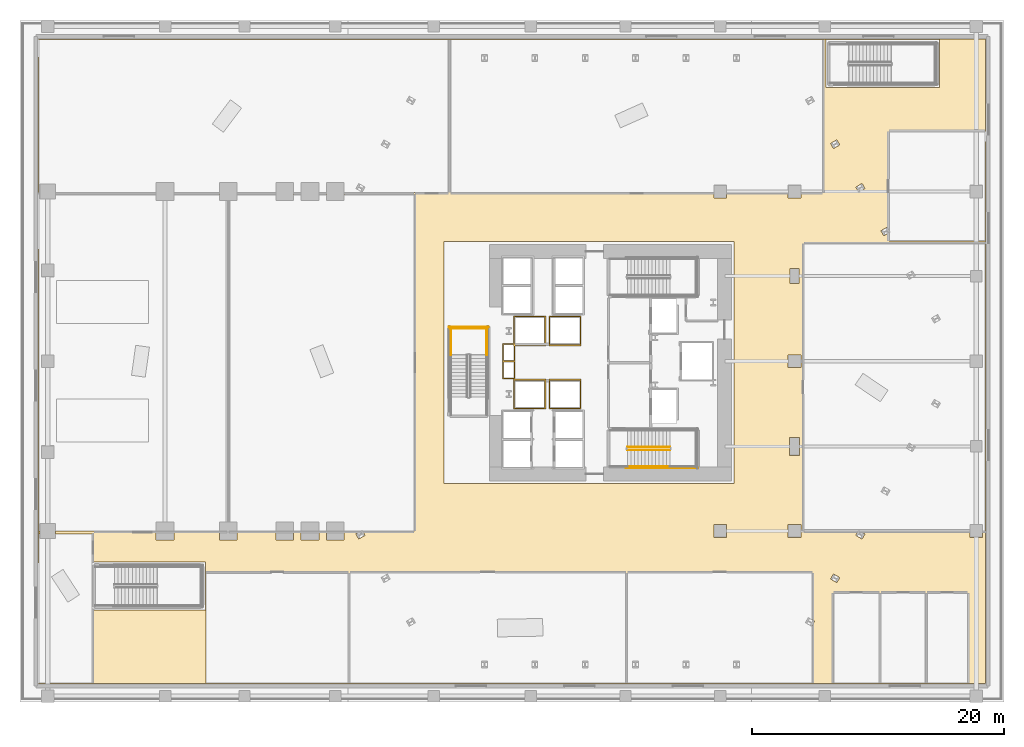
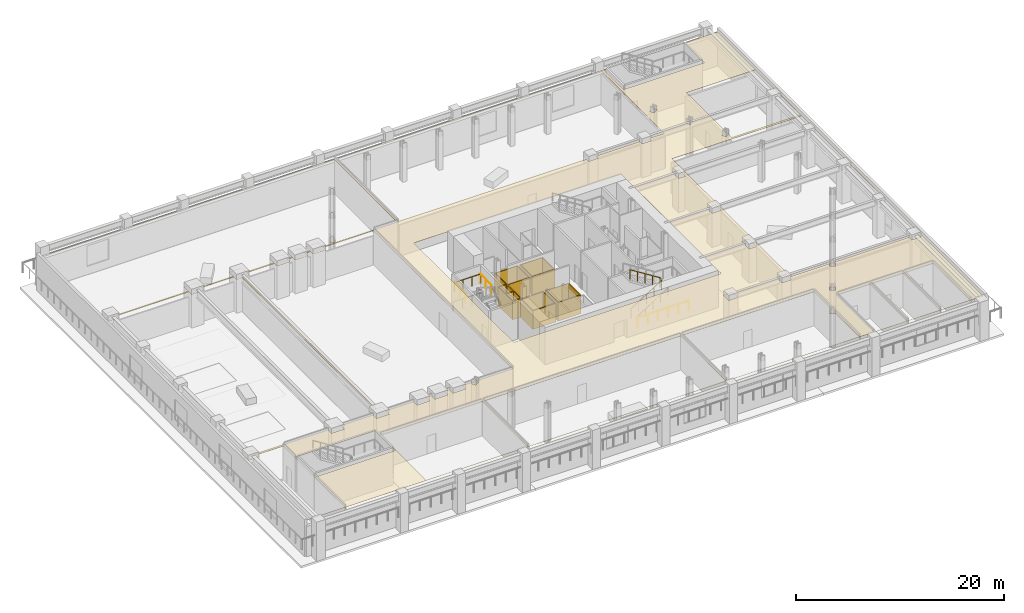
# One storey, part 12 of 18: 8 railings, 5 coverings.
"""IFC4 building model written with IfcOpenShell, lengths in metres."""

from ifc_helpers import new_model, si_unit, direction, frame, origin, origin_2d, place, context, subcontext, project, spatial, polyline, circle, outline, extrude, material, layer, layer_set, type_object, element, save


model = new_model("IFC4")

# Units and contexts
model_context = context("Model", 3, precision=1e-05, world=origin(), true_north=direction((0.0, 1.0)))
body_context = subcontext(model_context, "Body", "Model", "MODEL_VIEW")
ifc_project = project(units=[si_unit("LENGTHUNIT", "METRE"), si_unit("AREAUNIT", "SQUARE_METRE"), si_unit("VOLUMEUNIT", "CUBIC_METRE"), si_unit("PLANEANGLEUNIT", "RADIAN"), si_unit("MASSUNIT", "GRAM", prefix="KILO")], contexts=[model_context])

# Site, building, storey
site_placement = place(None, origin())
site = spatial("IfcSite", under=ifc_project, at=site_placement, CompositionType="ELEMENT")
building_placement = place(site_placement, origin())
building = spatial("IfcBuilding", under=site, at=building_placement, Name="Valkerne Bourse Tower", CompositionType="ELEMENT")
storey_placement = place(building_placement, frame((0.0, 0.0, 10.199951171875)))
storey = spatial("IfcBuildingStorey", under=building, at=storey_placement, Name="L02", CompositionType="ELEMENT", Elevation=10.199951171875)

# Coverings
ifc_material_1 = material(Name="Bronze Anodised Aluminium AA 6063-T6", Category="aluminium")
ifc_layer_1 = layer(ifc_material_1, 0.030029296875)
ifc_layer_set_1 = layer_set([ifc_layer_1], Name="Bronze Anodised Aluminium AA 6063-T6")
covering_type_1 = type_object("IfcCoveringType", Name="COV-CEIL-METAL", PredefinedType="CEILING", material=ifc_layer_set_1)
covering_1_placement = place(storey_placement, frame((0.0, 0.0, 4.010009765625)))
element("IfcCovering", 1, at=covering_1_placement, inside=storey, type_object=covering_type_1, Name="L02 Suspended Ceiling 14", PredefinedType="CEILING", context=body_context, shape_type="SweptSolid", body=[
    extrude(outline(polyline([(76.5458984375, 52.5458984375), (76.5458984375, 1.4541015625), (1.4541015625, 1.4541015625), (1.4541015625, 52.5458984375), (76.5458984375, 52.5458984375)]), holes=[polyline([(68.88818359375, 45.210205078125), (68.885986328125, 37.4140625), (68.98583984375, 37.231689453125), (68.978515625, 37.216552734375), (68.885986328125, 37.158203125), (68.8896484375, 36.538330078125), (76.51171875, 36.539794921875), (76.513916015625, 45.201416015625), (76.502685546875, 45.214111328125), (68.88818359375, 45.210205078125)]), polyline([(62.1376953125, 13.540283203125), (66.423583984375, 13.535888671875), (66.468017578125, 13.6015625), (66.481201171875, 13.607421875), (66.614013671875, 13.535888671875), (75.271728515625, 13.535888671875), (75.283935546875, 13.54833984375), (75.283935546875, 14.046142578125), (75.293701171875, 14.0625), (76.297119140625, 14.06591796875), (76.310791015625, 14.060302734375), (76.31591796875, 14.0498046875), (76.31689453125, 13.5439453125), (76.328857421875, 13.535888671875), (76.509521484375, 13.53759765625), (76.51220703125, 36.3095703125), (62.148681640625, 36.31396484375), (62.13671875, 36.305908203125), (62.1376953125, 13.540283203125)]), polyline([(71.896728515625, 1.493896484375), (71.90869140625, 1.486083984375), (75.10595703125, 1.48681640625), (75.114013671875, 1.498779296875), (75.11328125, 8.60595703125), (75.101318359375, 8.614013671875), (71.898193359375, 8.6103515625), (71.896728515625, 1.493896484375)]), polyline([(68.24609375, 8.60107421875), (68.247314453125, 1.492919921875), (68.2587890625, 1.486083984375), (71.757080078125, 1.4873046875), (71.763916015625, 1.498779296875), (71.7626953125, 8.60693359375), (71.751220703125, 8.614013671875), (68.2529296875, 8.61279296875), (68.24609375, 8.60107421875)]), polyline([(64.486083984375, 8.601318359375), (64.4873046875, 1.492919921875), (64.498779296875, 1.486083984375), (68.10693359375, 1.4873046875), (68.114013671875, 1.498779296875), (68.11279296875, 8.60693359375), (68.10107421875, 8.614013671875), (64.493896484375, 8.61328125), (64.486083984375, 8.601318359375)]), polyline([(34.148681640625, 40.365966796875), (54.9716796875, 40.365966796875), (54.98388671875, 40.37841796875), (54.98388671875, 40.946044921875), (54.993896484375, 40.96240234375), (55.99755859375, 40.966064453125), (56.00927734375, 40.9619140625), (56.015869140625, 40.949462890625), (56.01611328125, 40.37841796875), (56.027099609375, 40.365966796875), (60.87158203125, 40.365966796875), (60.884033203125, 40.37841796875), (60.884033203125, 40.946044921875), (60.893798828125, 40.96240234375), (61.897705078125, 40.966064453125), (61.9091796875, 40.9619140625), (61.916015625, 40.949462890625), (61.916015625, 40.378662109375), (61.925048828125, 40.366455078125), (63.60595703125, 40.36669921875), (63.614013671875, 40.37890625), (63.61328125, 52.506103515625), (63.601318359375, 52.513916015625), (34.14404296875, 52.51318359375), (34.135986328125, 52.501220703125), (34.136474609375, 40.375), (34.148681640625, 40.365966796875)]), polyline([(48.158203125, 1.486083984375), (62.806884765625, 1.4873046875), (62.81396484375, 1.498779296875), (62.81396484375, 6.02294921875), (62.79248046875, 6.03271484375), (62.76123046875, 5.982421875), (62.74169921875, 5.9794921875), (62.252685546875, 6.26171875), (62.243408203125, 6.2783203125), (62.479736328125, 6.68505859375), (62.49560546875, 6.683837890625), (62.7958984375, 6.510498046875), (62.81396484375, 6.52099609375), (62.812744140625, 10.20703125), (62.801025390625, 10.214111328125), (48.153076171875, 10.212890625), (48.14599609375, 10.201171875), (48.14599609375, 1.498291015625), (48.158203125, 1.486083984375)]), polyline([(26.154052734375, 10.213134765625), (26.14599609375, 10.201171875), (26.146728515625, 1.493896484375), (26.15869140625, 1.486083984375), (48.006103515625, 1.48681640625), (48.013916015625, 1.498779296875), (48.013916015625, 10.201416015625), (48.0048828125, 10.213623046875), (26.154052734375, 10.213134765625)]), polyline([(1.572509765625, 40.365966796875), (1.583984375, 40.37744140625), (1.583984375, 41.046142578125), (1.59375, 41.0625), (2.797119140625, 41.06591796875), (2.810546875, 41.060546875), (2.81591796875, 41.047119140625), (2.81591796875, 40.37841796875), (2.8271484375, 40.365966796875), (10.772705078125, 40.365966796875), (10.783935546875, 40.37841796875), (10.783935546875, 41.14599609375), (10.793701171875, 41.16259765625), (12.197265625, 41.166015625), (12.21044921875, 41.160400390625), (12.216064453125, 41.147216796875), (12.216064453125, 40.378662109375), (12.226318359375, 40.3662109375), (15.772705078125, 40.365966796875), (15.783935546875, 40.37841796875), (15.783935546875, 41.14599609375), (15.793701171875, 41.16259765625), (17.197265625, 41.166015625), (17.21044921875, 41.160400390625), (17.216064453125, 41.147216796875), (17.216064453125, 40.378662109375), (17.22509765625, 40.366455078125), (20.263671875, 40.365966796875), (20.27587890625, 40.37841796875), (20.27587890625, 41.14599609375), (20.285888671875, 41.16259765625), (21.689208984375, 41.166015625), (21.702392578125, 41.160400390625), (21.7080078125, 41.147216796875), (21.709716796875, 40.37060546875), (22.2626953125, 40.365966796875), (22.27490234375, 40.37841796875), (22.27490234375, 41.14599609375), (22.284912109375, 41.16259765625), (23.688232421875, 41.166015625), (23.701416015625, 41.160400390625), (23.70703125, 41.147216796875), (23.708740234375, 40.37060546875), (24.259521484375, 40.365966796875), (24.27197265625, 40.37841796875), (24.27197265625, 41.14599609375), (24.28173828125, 41.16259765625), (25.685302734375, 41.166015625), (25.698486328125, 41.160400390625), (25.7041015625, 41.147216796875), (25.7041015625, 40.37841796875), (25.715087890625, 40.365966796875), (27.115966796875, 40.36767578125), (27.115234375, 40.39111328125), (26.61279296875, 40.6865234375), (26.614013671875, 40.702392578125), (26.838134765625, 41.09033203125), (26.854736328125, 41.099609375), (27.360107421875, 40.80615234375), (27.35888671875, 40.790283203125), (27.134033203125, 40.40087890625), (27.118408203125, 40.385986328125), (27.12841796875, 40.365966796875), (33.9560546875, 40.36669921875), (33.964111328125, 40.37890625), (33.963134765625, 52.506103515625), (33.951171875, 52.513916015625), (1.493896484375, 52.51318359375), (1.486083984375, 52.501220703125), (1.48779296875, 40.37060546875), (1.572509765625, 40.365966796875)]), polyline([(25.715087890625, 40.214111328125), (25.7041015625, 40.201416015625), (25.7041015625, 39.752685546875), (25.69140625, 39.7353515625), (24.290283203125, 39.73388671875), (24.27880859375, 39.73828125), (24.272216796875, 39.75048828125), (24.268310546875, 40.211669921875), (23.71826171875, 40.214111328125), (23.70703125, 40.201416015625), (23.70703125, 39.752685546875), (23.6943359375, 39.7353515625), (22.29345703125, 39.73388671875), (22.28173828125, 39.73828125), (22.275146484375, 39.75048828125), (22.271240234375, 40.211669921875), (21.720458984375, 40.214111328125), (21.7080078125, 40.20166015625), (21.7080078125, 39.752685546875), (21.6953125, 39.7353515625), (20.29443359375, 39.73388671875), (20.28271484375, 39.73828125), (20.276123046875, 39.75048828125), (20.27587890625, 40.201416015625), (20.265869140625, 40.2138671875), (17.228271484375, 40.214111328125), (17.216064453125, 40.20166015625), (17.216064453125, 39.753173828125), (17.209228515625, 39.73876953125), (16.598876953125, 39.73388671875), (16.587158203125, 39.72705078125), (16.5859375, 14.2783203125), (16.598388671875, 14.26611328125), (17.197021484375, 14.26611328125), (17.211181640625, 14.25927734375), (17.216064453125, 13.548828125), (17.222900390625, 13.537109375), (20.265869140625, 13.5361328125), (20.27587890625, 13.548583984375), (20.27587890625, 14.24609375), (20.285888671875, 14.262451171875), (21.689208984375, 14.26611328125), (21.702392578125, 14.260498046875), (21.7080078125, 14.247314453125), (21.7080078125, 13.548583984375), (21.71923828125, 13.535888671875), (22.272705078125, 13.539794921875), (22.27490234375, 14.24609375), (22.284912109375, 14.262451171875), (23.688232421875, 14.26611328125), (23.701416015625, 14.260498046875), (23.70703125, 14.247314453125), (23.70703125, 13.548583984375), (23.71826171875, 13.535888671875), (24.269775390625, 13.539794921875), (24.27197265625, 14.24609375), (24.28173828125, 14.262451171875), (25.685302734375, 14.26611328125), (25.698486328125, 14.260498046875), (25.7041015625, 14.247314453125), (25.7041015625, 13.548583984375), (25.715087890625, 13.535888671875), (26.98681640625, 13.5361328125), (27.118896484375, 13.607421875), (27.132080078125, 13.6015625), (27.176513671875, 13.535888671875), (31.251220703125, 13.535888671875), (31.2626953125, 13.54296875), (31.263916015625, 40.201416015625), (31.25390625, 40.2138671875), (25.715087890625, 40.214111328125)]), polyline([(14.736083984375, 10.20166015625), (14.73974609375, 1.48828125), (26.01171875, 1.48974609375), (26.01025390625, 10.211669921875), (14.748291015625, 10.214111328125), (14.736083984375, 10.20166015625)]), polyline([(16.412841796875, 39.72705078125), (16.401123046875, 39.73388671875), (15.790771484375, 39.73876953125), (15.783935546875, 39.753173828125), (15.783935546875, 40.20166015625), (15.771728515625, 40.214111328125), (12.227294921875, 40.214111328125), (12.216064453125, 40.201416015625), (12.216064453125, 39.752685546875), (12.203369140625, 39.7353515625), (10.802490234375, 39.73388671875), (10.790771484375, 39.73828125), (10.7841796875, 39.75048828125), (10.783935546875, 40.201416015625), (10.772705078125, 40.214111328125), (2.828369140625, 40.214111328125), (2.81591796875, 40.20166015625), (2.81591796875, 39.8505859375), (2.8037109375, 39.835205078125), (1.602294921875, 39.833984375), (1.5908203125, 39.838134765625), (1.583984375, 39.8505859375), (1.58349609375, 40.204833984375), (1.572509765625, 40.214111328125), (1.492919921875, 40.212890625), (1.486083984375, 40.201171875), (1.4873046875, 13.54150390625), (1.5712890625, 13.535888671875), (1.583740234375, 13.546142578125), (1.583984375, 14.14599609375), (1.59375, 14.16259765625), (2.797119140625, 14.166015625), (2.810546875, 14.160400390625), (2.81591796875, 14.147216796875), (2.81591796875, 13.548583984375), (2.8271484375, 13.535888671875), (10.772705078125, 13.535888671875), (10.783935546875, 13.548583984375), (10.783935546875, 14.24609375), (10.793701171875, 14.262451171875), (12.197265625, 14.26611328125), (12.21044921875, 14.260498046875), (12.216064453125, 14.247314453125), (12.216064453125, 13.548583984375), (12.226318359375, 13.5361328125), (15.771728515625, 13.535888671875), (15.783935546875, 13.54833984375), (15.788818359375, 14.25927734375), (15.80322265625, 14.26611328125), (16.412353515625, 14.2705078125), (16.412841796875, 39.72705078125)]), polyline([(5.72119140625, 1.486083984375), (5.733642578125, 1.4951171875), (5.73388671875, 7.300048828125), (14.699951171875, 7.300048828125), (14.699951171875, 11.10009765625), (5.73388671875, 11.10009765625), (5.73388671875, 13.30126953125), (5.724853515625, 13.313720703125), (2.8271484375, 13.31396484375), (2.81591796875, 13.301513671875), (2.81591796875, 12.950439453125), (2.8037109375, 12.935302734375), (1.602783203125, 12.93408203125), (1.589111328125, 12.939697265625), (1.583984375, 12.9501953125), (1.58349609375, 13.3046875), (1.572509765625, 13.31396484375), (1.498779296875, 13.31396484375), (1.486328125, 13.304931640625), (1.486083984375, 1.498779296875), (1.492919921875, 1.4873046875), (5.72119140625, 1.486083984375)]), polyline([(27.12060546875, 13.59814453125), (26.62109375, 13.309814453125), (26.852294921875, 12.908935546875), (27.35205078125, 13.197509765625), (27.12060546875, 13.59814453125)]), polyline([(2.803955078125, 14.154052734375), (1.595947265625, 14.154052734375), (1.595947265625, 12.946044921875), (2.803955078125, 12.946044921875), (2.803955078125, 14.154052734375)]), polyline([(24.283935546875, 14.25390625), (24.283935546875, 12.845947265625), (25.69189453125, 12.845947265625), (25.69189453125, 14.25390625), (24.283935546875, 14.25390625)]), polyline([(23.695068359375, 14.25390625), (22.287109375, 14.25390625), (22.287109375, 12.845947265625), (23.695068359375, 12.845947265625), (23.695068359375, 14.25390625)]), polyline([(21.696044921875, 14.25390625), (20.2880859375, 14.25390625), (20.2880859375, 12.845947265625), (21.696044921875, 12.845947265625), (21.696044921875, 14.25390625)]), polyline([(10.7958984375, 14.25390625), (10.7958984375, 12.845947265625), (12.2041015625, 12.845947265625), (12.2041015625, 14.25390625), (10.7958984375, 14.25390625)]), polyline([(15.7958984375, 14.25390625), (15.7958984375, 12.845947265625), (17.2041015625, 12.845947265625), (17.2041015625, 14.25390625), (15.7958984375, 14.25390625)]), polyline([(17.2041015625, 41.154052734375), (15.7958984375, 41.154052734375), (15.7958984375, 39.74609375), (17.2041015625, 39.74609375), (17.2041015625, 41.154052734375)]), polyline([(10.7958984375, 41.154052734375), (10.7958984375, 39.74609375), (12.2041015625, 39.74609375), (12.2041015625, 41.154052734375), (10.7958984375, 41.154052734375)]), polyline([(21.696044921875, 41.154052734375), (20.2880859375, 41.154052734375), (20.2880859375, 39.74609375), (21.696044921875, 39.74609375), (21.696044921875, 41.154052734375)]), polyline([(23.695068359375, 41.154052734375), (22.287109375, 41.154052734375), (22.287109375, 39.74609375), (23.695068359375, 39.74609375), (23.695068359375, 41.154052734375)]), polyline([(24.283935546875, 41.154052734375), (24.283935546875, 39.74609375), (25.69189453125, 39.74609375), (25.69189453125, 41.154052734375), (24.283935546875, 41.154052734375)]), polyline([(1.595947265625, 41.053955078125), (1.595947265625, 39.845947265625), (2.803955078125, 39.845947265625), (2.803955078125, 41.053955078125), (1.595947265625, 41.053955078125)]), polyline([(26.62109375, 40.690185546875), (27.12060546875, 40.40185546875), (27.35205078125, 40.802490234375), (26.852294921875, 41.091064453125), (26.62109375, 40.690185546875)]), polyline([(56.00390625, 14.053955078125), (54.99609375, 14.053955078125), (54.99609375, 13.0458984375), (56.00390625, 13.0458984375), (56.00390625, 14.053955078125)]), polyline([(33.60009765625, 17.300048828125), (56.60009765625, 17.300048828125), (56.60009765625, 36.5), (33.60009765625, 36.5), (33.60009765625, 17.300048828125)]), polyline([(56.00390625, 40.9541015625), (54.99609375, 40.9541015625), (54.99609375, 39.946044921875), (56.00390625, 39.946044921875), (56.00390625, 40.9541015625)]), polyline([(62.251953125, 6.276123046875), (62.751708984375, 5.98779296875), (62.98291015625, 6.388427734375), (62.4833984375, 6.677001953125), (62.251953125, 6.276123046875)]), polyline([(64.481201171875, 10.137451171875), (64.25, 9.73681640625), (64.749755859375, 9.4482421875), (64.98095703125, 9.84912109375), (64.481201171875, 10.137451171875)]), polyline([(66.479248046875, 13.59814453125), (66.248046875, 13.197509765625), (66.747802734375, 12.908935546875), (66.97900390625, 13.309814453125), (66.479248046875, 13.59814453125)]), polyline([(60.89599609375, 14.053955078125), (60.89599609375, 13.0458984375), (61.904052734375, 13.0458984375), (61.904052734375, 14.053955078125), (60.89599609375, 14.053955078125)]), polyline([(75.2958984375, 14.053955078125), (75.2958984375, 13.0458984375), (76.303955078125, 13.0458984375), (76.303955078125, 14.053955078125), (75.2958984375, 14.053955078125)]), polyline([(60.99609375, 20.9541015625), (60.99609375, 19.5458984375), (61.803955078125, 19.5458984375), (61.803955078125, 20.9541015625), (60.99609375, 20.9541015625)]), polyline([(60.89599609375, 27.50390625), (60.89599609375, 26.49609375), (61.904052734375, 26.49609375), (61.904052734375, 27.50390625), (60.89599609375, 27.50390625)]), polyline([(61.0458984375, 34.35400390625), (61.0458984375, 33.14599609375), (61.75390625, 33.14599609375), (61.75390625, 34.35400390625), (61.0458984375, 34.35400390625)]), polyline([(68.24609375, 37.341796875), (68.477294921875, 36.941162109375), (68.97705078125, 37.229736328125), (68.74560546875, 37.63037109375), (68.24609375, 37.341796875)]), polyline([(61.904052734375, 40.9541015625), (60.89599609375, 40.9541015625), (60.89599609375, 39.946044921875), (61.904052734375, 39.946044921875), (61.904052734375, 40.9541015625)]), polyline([(66.248046875, 40.802490234375), (66.479248046875, 40.40185546875), (66.97900390625, 40.690185546875), (66.747802734375, 41.091064453125), (66.248046875, 40.802490234375)]), polyline([(64.749755859375, 44.5517578125), (64.25, 44.26318359375), (64.481201171875, 43.862548828125), (64.98095703125, 44.15087890625), (64.749755859375, 44.5517578125)]), polyline([(63.89990234375, 48.699951171875), (72.89990234375, 48.699951171875), (72.89990234375, 52.5), (63.89990234375, 52.5), (63.89990234375, 48.699951171875)])]), origin(), (0.0, 0.0, 1.0), 0.025146484375),
])
ifc_material_2 = material(Name="Gypsum Shaftwall Liner Board", Category="gypsum")
ifc_layer_2 = layer(ifc_material_2, 0.080078125)
ifc_layer_set_2 = layer_set([ifc_layer_2], Name="Gypsum Shaftwall Liner Board")
covering_type_2 = type_object("IfcCoveringType", Name="COV-SHF-CLAD", PredefinedType="CLADDING", material=ifc_layer_set_2)
covering_2_placement = place(storey_placement, origin())
element("IfcCovering", 2, at=covering_2_placement, inside=storey, type_object=covering_type_2, Name="L02 Hoistway & Riser Shaftwall Liner 02", PredefinedType="CLADDING", context=body_context, shape_type="SweptSolid", body=[
    extrude(outline(polyline([(41.679931640625, 23.219970703125), (39.1201171875, 23.219970703125), (39.1201171875, 25.580078125), (41.679931640625, 25.580078125), (41.679931640625, 23.219970703125)]), holes=[polyline([(39.2099609375, 25.489990234375), (39.2099609375, 23.31005859375), (41.590087890625, 23.31005859375), (41.590087890625, 25.489990234375), (39.2099609375, 25.489990234375)])]), origin(), (0.0, 0.0, 1.0), 2.179931640625),
])
covering_3_placement = place(storey_placement, origin())
element("IfcCovering", 3, at=covering_3_placement, inside=storey, type_object=covering_type_2, Name="L02 Hoistway & Riser Shaftwall Liner 03", PredefinedType="CLADDING", context=body_context, shape_type="SweptSolid", body=[
    extrude(outline(polyline([(44.47998046875, 23.219970703125), (41.919921875, 23.219970703125), (41.919921875, 25.580078125), (44.47998046875, 25.580078125), (44.47998046875, 23.219970703125)]), holes=[polyline([(42.010009765625, 25.489990234375), (42.010009765625, 23.31005859375), (44.389892578125, 23.31005859375), (44.389892578125, 25.489990234375), (42.010009765625, 25.489990234375)])]), origin(), (0.0, 0.0, 1.0), 2.179931640625),
])
covering_4_placement = place(storey_placement, origin())
element("IfcCovering", 4, at=covering_4_placement, inside=storey, type_object=covering_type_2, Name="L02 Hoistway & Riser Shaftwall Liner 04", PredefinedType="CLADDING", context=body_context, shape_type="SweptSolid", body=[
    extrude(outline(polyline([(38.239990234375, 28.409912109375), (39.1201171875, 28.409912109375), (39.1201171875, 30.580078125), (41.679931640625, 30.580078125), (41.679931640625, 28.219970703125), (39.239990234375, 28.219970703125), (39.239990234375, 27.0400390625), (39.239990234375, 26.9599609375), (39.239990234375, 25.590087890625), (38.239990234375, 25.590087890625), (38.239990234375, 26.9599609375), (38.239990234375, 27.0400390625), (38.239990234375, 28.409912109375)]), holes=[polyline([(39.2099609375, 30.489990234375), (39.2099609375, 28.409912109375), (39.239990234375, 28.409912109375), (39.239990234375, 28.31005859375), (41.590087890625, 28.31005859375), (41.590087890625, 30.489990234375), (39.2099609375, 30.489990234375)]), polyline([(38.330078125, 26.949951171875), (38.330078125, 25.679931640625), (39.14990234375, 25.679931640625), (39.14990234375, 26.949951171875), (38.330078125, 26.949951171875)]), polyline([(39.1201171875, 28.219970703125), (39.1201171875, 28.320068359375), (38.330078125, 28.320068359375), (38.330078125, 27.050048828125), (39.14990234375, 27.050048828125), (39.14990234375, 28.219970703125), (39.1201171875, 28.219970703125)])]), origin(), (0.0, 0.0, 1.0), 2.179931640625),
])
covering_5_placement = place(storey_placement, origin())
element("IfcCovering", 5, at=covering_5_placement, inside=storey, type_object=covering_type_2, Name="L02 Hoistway & Riser Shaftwall Liner 09", PredefinedType="CLADDING", context=body_context, shape_type="SweptSolid", body=[
    extrude(outline(polyline([(44.47998046875, 28.219970703125), (41.919921875, 28.219970703125), (41.919921875, 30.580078125), (44.47998046875, 30.580078125), (44.47998046875, 28.219970703125)]), holes=[polyline([(42.010009765625, 30.489990234375), (42.010009765625, 28.31005859375), (44.389892578125, 28.31005859375), (44.389892578125, 30.489990234375), (42.010009765625, 30.489990234375)])]), origin(), (0.0, 0.0, 1.0), 2.179931640625),
])

# Railings
ifc_material_3 = material(Name="Galvanised Painted Steel", Category="steel")
railing_type_1 = type_object("IfcRailingType", Name="RLG-ST-GUARD-1120", PredefinedType="GUARDRAIL", material=ifc_material_3)
railing_1_placement = place(storey_placement, frame((48.14990234375, 19.949951171875, 0.177001953125)))
element("IfcRailing", 6, at=railing_1_placement, inside=storey, type_object=railing_type_1, Name="L02 ST-1 stair guard 1", PredefinedType="GUARDRAIL", context=body_context, shape_type="SweptSolid", body=[
    extrude(circle(Radius=0.02392578125, at=origin_2d()), frame((0.0, 0.0, 1.09619140625), z_axis=(0.845389635667, 0.0, 0.534150132366), x_axis=(0.0, 1.0, 0.0)), (0.0, 0.0, 1.0), 3.974609375),
    extrude(circle(Radius=0.02099609375, at=origin_2d()), origin(), (0.0, 0.0, 1.0), 1.072021484375),
    extrude(circle(Radius=0.02099609375, at=origin_2d()), frame((0.840087890625, 0.0, 0.53076171875)), (0.0, 0.0, 1.0), 1.072021484375),
    extrude(circle(Radius=0.02099609375, at=origin_2d()), frame((1.68017578125, 0.0, 1.0615234375)), (0.0, 0.0, 1.0), 1.072021484375),
    extrude(circle(Radius=0.02099609375, at=origin_2d()), frame((2.52001953125, 0.0, 1.59228515625)), (0.0, 0.0, 1.0), 1.072021484375),
    extrude(circle(Radius=0.02099609375, at=origin_2d()), frame((3.360107421875, 0.0, 2.123046875)), (0.0, 0.0, 1.0), 1.072021484375),
])
railing_2_placement = place(storey_placement, frame((51.510009765625, 20.199951171875, 2.47705078125)))
element("IfcRailing", 7, at=railing_2_placement, inside=storey, type_object=railing_type_1, Name="L02 ST-1 stair guard 6", PredefinedType="GUARDRAIL", context=body_context, shape_type="SweptSolid", body=[
    extrude(circle(Radius=0.02392578125, at=origin_2d()), frame((0.0, 0.0, 1.09619140625), z_axis=(-0.845389635667, 0.0, 0.534150132366), x_axis=(0.0, -1.0, 0.0)), (0.0, 0.0, 1.0), 3.974609375),
    extrude(circle(Radius=0.02099609375, at=origin_2d()), origin(), (0.0, 0.0, 1.0), 1.072021484375),
    extrude(circle(Radius=0.02099609375, at=origin_2d()), frame((-0.840087890625, 0.0, 0.53076171875)), (0.0, 0.0, 1.0), 1.072021484375),
    extrude(circle(Radius=0.02099609375, at=origin_2d()), frame((-1.68017578125, 0.0, 1.0615234375)), (0.0, 0.0, 1.0), 1.072021484375),
    extrude(circle(Radius=0.02099609375, at=origin_2d()), frame((-2.52001953125, 0.0, 1.59228515625)), (0.0, 0.0, 1.0), 1.072021484375),
    extrude(circle(Radius=0.02099609375, at=origin_2d()), frame((-3.360107421875, 0.0, 2.123046875)), (0.0, 0.0, 1.0), 1.072021484375),
])
railing_3_placement = place(storey_placement, frame((48.050048828125, 18.550048828125, 0.0)))
element("IfcRailing", 8, at=railing_3_placement, inside=storey, type_object=railing_type_1, Name="L02 ST-1 stair guard 10", PredefinedType="GUARDRAIL", context=body_context, shape_type="SweptSolid", body=[
    extrude(circle(Radius=0.02392578125, at=origin_2d()), frame((0.0, 0.0, 1.09619140625), z_axis=(1.0, 0.0, 0.0), x_axis=(0.0, 1.0, 0.0)), (0.0, 0.0, 1.0), 5.699951171875),
    extrude(circle(Radius=0.02099609375, at=origin_2d()), origin(), (0.0, 0.0, 1.0), 1.072021484375),
    extrude(circle(Radius=0.02099609375, at=origin_2d()), frame((1.139892578125, 0.0, 0.0)), (0.0, 0.0, 1.0), 1.072021484375),
    extrude(circle(Radius=0.02099609375, at=origin_2d()), frame((2.280029296875, 0.0, 0.0)), (0.0, 0.0, 1.0), 1.072021484375),
    extrude(circle(Radius=0.02099609375, at=origin_2d()), frame((3.419921875, 0.0, 0.0)), (0.0, 0.0, 1.0), 1.072021484375),
    extrude(circle(Radius=0.02099609375, at=origin_2d()), frame((4.56005859375, 0.0, 0.0)), (0.0, 0.0, 1.0), 1.072021484375),
    extrude(circle(Radius=0.02099609375, at=origin_2d()), frame((5.699951171875, 0.0, 0.0)), (0.0, 0.0, 1.0), 1.072021484375),
])
for number, where, name in (
    (9, (37.0, 27.510009765625, 2.300048828125), "L02 ST-3 stair guard 3"),
    (10, (34.14990234375, 27.510009765625, 2.300048828125), "L02 ST-3 stair guard 4"),
):
    element("IfcRailing", number, at=place(storey_placement, frame(where)), inside=storey, type_object=railing_type_1, Name=name, PredefinedType="GUARDRAIL", context=body_context, shape_type="SweptSolid", body=[
        extrude(circle(Radius=0.02392578125, at=origin_2d()), frame((0.0, 0.0, 1.09619140625), z_axis=(0.0, 1.0, 0.0), x_axis=(-1.0, 0.0, 0.0)), (0.0, 0.0, 1.0), 2.139892578125),
        extrude(circle(Radius=0.02099609375, at=origin_2d()), origin(), (0.0, 0.0, 1.0), 1.072021484375),
        extrude(circle(Radius=0.02099609375, at=origin_2d()), frame((0.0, 1.06982421875, 0.0)), (0.0, 0.0, 1.0), 1.072021484375),
        extrude(circle(Radius=0.02099609375, at=origin_2d()), frame((0.0, 2.139892578125, 0.0)), (0.0, 0.0, 1.0), 1.072021484375),
    ])
railing_4_placement = place(storey_placement, frame((37.050048828125, 29.60009765625, 2.300048828125)))
element("IfcRailing", 11, at=railing_4_placement, inside=storey, type_object=railing_type_1, Name="L02 ST-3 stair guard 5", PredefinedType="GUARDRAIL", context=body_context, shape_type="SweptSolid", body=[
    extrude(circle(Radius=0.02392578125, at=origin_2d()), frame((0.0, 0.0, 1.09619140625), z_axis=(-1.0, 0.0, 0.0), x_axis=(0.0, -1.0, 0.0)), (0.0, 0.0, 1.0), 2.949951171875),
    extrude(circle(Radius=0.02099609375, at=origin_2d()), origin(), (0.0, 0.0, 1.0), 1.072021484375),
    extrude(circle(Radius=0.02099609375, at=origin_2d()), frame((-0.9833984375, 0.0, 0.0)), (0.0, 0.0, 1.0), 1.072021484375),
    extrude(circle(Radius=0.02099609375, at=origin_2d()), frame((-1.966552734375, 0.0, 0.0)), (0.0, 0.0, 1.0), 1.072021484375),
    extrude(circle(Radius=0.02099609375, at=origin_2d()), frame((-2.949951171875, 0.0, 0.0)), (0.0, 0.0, 1.0), 1.072021484375),
])
railing_5_placement = place(storey_placement, frame((37.14990234375, 29.699951171875, 0.0)))
element("IfcRailing", 12, at=railing_5_placement, inside=storey, type_object=railing_type_1, Name="L02 ST-3 stair guard 12", PredefinedType="GUARDRAIL", context=body_context, shape_type="SweptSolid", body=[
    extrude(circle(Radius=0.02392578125, at=origin_2d()), frame((0.0, 0.0, 1.09619140625), z_axis=(-1.0, 0.0, 0.0), x_axis=(0.0, -1.0, 0.0)), (0.0, 0.0, 1.0), 3.14990234375),
    extrude(circle(Radius=0.02099609375, at=origin_2d()), origin(), (0.0, 0.0, 1.0), 1.072021484375),
    extrude(circle(Radius=0.02099609375, at=origin_2d()), frame((-1.050048828125, 0.0, 0.0)), (0.0, 0.0, 1.0), 1.072021484375),
    extrude(circle(Radius=0.02099609375, at=origin_2d()), frame((-2.099853515625, 0.0, 0.0)), (0.0, 0.0, 1.0), 1.072021484375),
    extrude(circle(Radius=0.02099609375, at=origin_2d()), frame((-3.14990234375, 0.0, 0.0)), (0.0, 0.0, 1.0), 1.072021484375),
])
ifc_material_4 = material(Name="Stainless Steel AISI 316", Category="steel")
railing_type_2 = type_object("IfcRailingType", Name="RLG-ST-HANDRAIL-900", PredefinedType="HANDRAIL", material=ifc_material_4)
railing_6_placement = place(storey_placement, frame((48.14990234375, 18.64990234375, 0.35400390625)))
element("IfcRailing", 13, at=railing_6_placement, inside=storey, type_object=railing_type_2, Name="L02 ST-1 stair handrail 1", PredefinedType="HANDRAIL", context=body_context, shape_type="SweptSolid", body=[
    extrude(circle(Radius=0.02392578125, at=origin_2d()), frame((0.0, 0.0, 0.8759765625), z_axis=(0.845389635667, 0.0, 0.534150132366), x_axis=(0.0, 1.0, 0.0)), (0.0, 0.0, 1.0), 3.974609375),
    extrude(circle(Radius=0.02099609375, at=origin_2d()), origin(), (0.0, 0.0, 1.0), 0.851806640625),
    extrude(circle(Radius=0.02099609375, at=origin_2d()), frame((0.840087890625, 0.0, 0.53076171875)), (0.0, 0.0, 1.0), 0.851806640625),
    extrude(circle(Radius=0.02099609375, at=origin_2d()), frame((1.68017578125, 0.0, 1.0615234375)), (0.0, 0.0, 1.0), 0.851806640625),
    extrude(circle(Radius=0.02099609375, at=origin_2d()), frame((2.52001953125, 0.0, 1.59228515625)), (0.0, 0.0, 1.0), 0.851806640625),
    extrude(circle(Radius=0.02099609375, at=origin_2d()), frame((3.360107421875, 0.0, 2.123046875)), (0.0, 0.0, 1.0), 0.851806640625),
])

save(model, "model.ifc")
